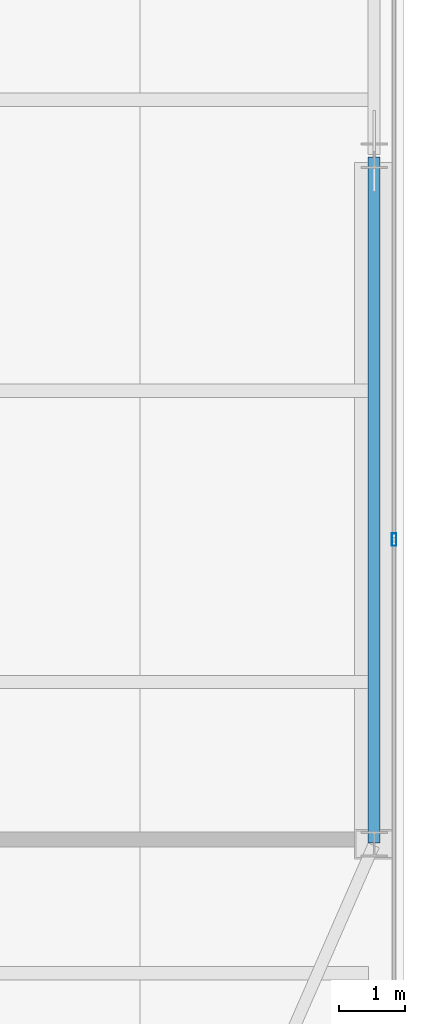
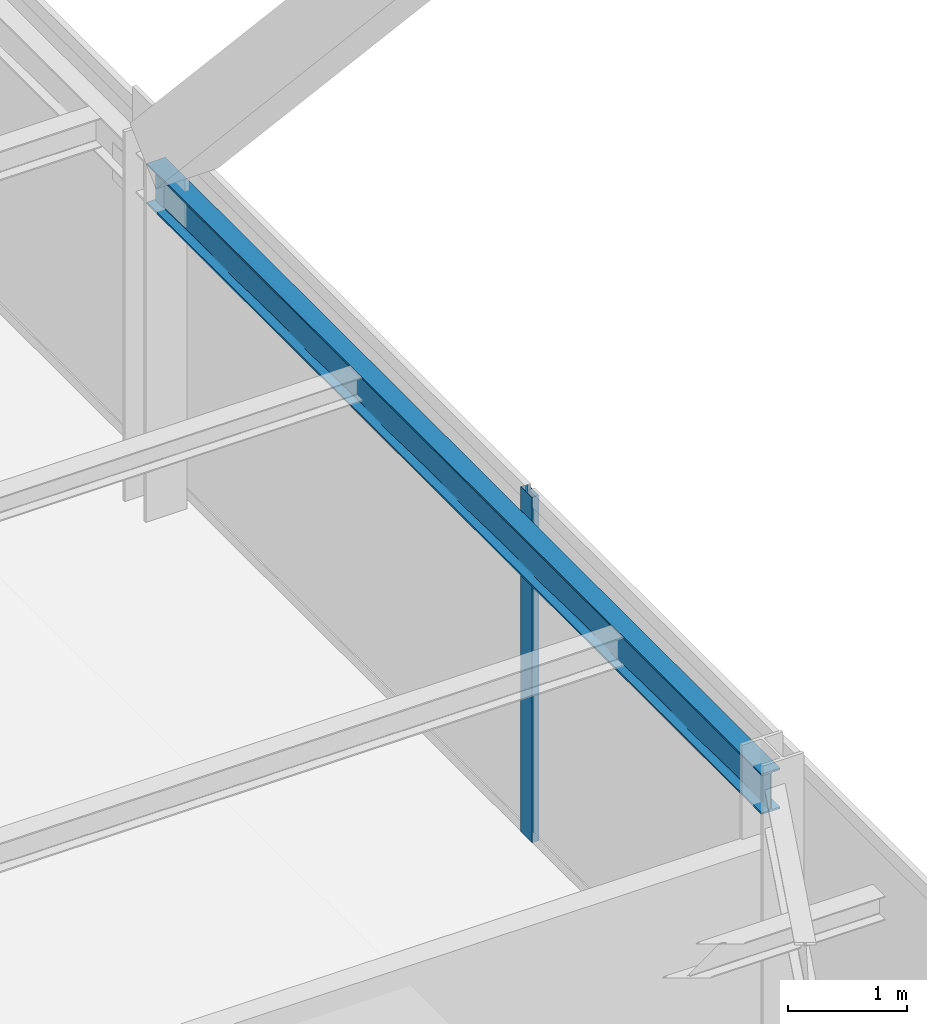
# One storey, part 18 of 37: 1 beam, 1 member, 1 element without a shape of its own.
"""IFC4 building model written with IfcOpenShell, lengths in metres."""

from ifc_helpers import new_model, si_unit, direction, frame, origin, origin_2d, place, context, subcontext, project, spatial, hollow_rectangle, i_section, extrude, source, transform, mapped, material, layer, layer_set, material_profile, profile_set, type_object, type_shapes, element, aggregate, save


model = new_model("IFC4")

# Units and contexts
model_context = context("Model", 3, precision=1e-05, world=origin(), true_north=direction((0.0, 1.0)))
body_context = subcontext(model_context, "Body", "Model", "MODEL_VIEW")
ifc_project = project(units=[si_unit("LENGTHUNIT", "METRE"), si_unit("AREAUNIT", "SQUARE_METRE"), si_unit("VOLUMEUNIT", "CUBIC_METRE"), si_unit("PLANEANGLEUNIT", "RADIAN"), si_unit("MASSUNIT", "GRAM", prefix="KILO")], contexts=[model_context])

# Site, building, storey
site_placement = place(None, origin())
site = spatial("IfcSite", under=ifc_project, at=site_placement, CompositionType="ELEMENT")
building_placement = place(site_placement, origin())
building = spatial("IfcBuilding", under=site, at=building_placement, Name="Varnel Quay Broadcast Tower", CompositionType="ELEMENT")
storey_placement = place(building_placement, frame((0.0, 0.0, 125.800048828125)))
storey = spatial("IfcBuildingStorey", under=building, at=storey_placement, Name="L30", CompositionType="ELEMENT", Elevation=125.800048828125)

# Beam
ifc_material_1 = material(Name="Structural Steel CSA G40.21 350W", Category="steel")
ifc_material_profile_1 = material_profile(ifc_material_1, i_section(OverallWidth=0.180908203125, OverallDepth=0.4169921875, WebThickness=0.010986328125, FlangeThickness=0.018310546875, FilletRadius=0.011962890625, at=origin_2d()), Name="W410X85")
ifc_profile_set_1 = profile_set([ifc_material_profile_1], Name="Structural Steel CSA G40.21 350W")
beam_type = type_object("IfcBeamType", Name="Beam_W410X85", PredefinedType="SPANDREL", material=ifc_profile_set_1)
shared_shape_1 = source(origin(), body_context, "Body", "SweptSolid", [
    extrude(i_section(OverallWidth=0.180908203125, OverallDepth=0.4169921875, WebThickness=0.010986328125, FlangeThickness=0.018310546875, FilletRadius=0.011962890625, at=origin_2d()), origin(), (0.0, 0.0, 1.0), 10.35986328125),
])
type_shapes(beam_type, [shared_shape_1])
beam_placement = place(storey_placement, frame((63.050048828125, 15.02001953125, 3.341552734375), z_axis=(0.0, 1.0, 0.0), x_axis=(-1.0, 0.0, 0.0)))
element("IfcBeam", 1, at=beam_placement, inside=storey, type_object=beam_type, Name="L30 East Spandrel TC-E1-TC-E2", PredefinedType="SPANDREL", context=body_context, shape_type="MappedRepresentation", body=[
    mapped(shared_shape_1, transform((0.0, 0.0, 0.0), x_axis=(1.0, 0.0, 0.0), y_axis=(0.0, 1.0, 0.0), z_axis=(0.0, 0.0, 1.0), scale=1.0)),
])

# Curtain wall, member
ifc_material_2 = material(Name="Anodised Bronze Aluminium 6063-T6", Category="aluminium")
ifc_layer = layer(ifc_material_2, 0.18994140625, Name="Anodised Bronze Aluminium 6063-T6")
ifc_layer_set = layer_set([ifc_layer], Name="Anodised Bronze Aluminium 6063-T6")
curtain_wall_type = type_object("IfcCurtainWallType", Name="CW_LowerTower", PredefinedType="NOTDEFINED", material=ifc_layer_set)
curtain_wall_placement = place(storey_placement, origin())
curtain_wall = element("IfcCurtainWall", 2, at=curtain_wall_placement, inside=storey, type_object=curtain_wall_type, Name="L30 East Unitised Curtain Wall", PredefinedType="NOTDEFINED")
ifc_material_profile_2 = material_profile(ifc_material_2, hollow_rectangle(XDim=0.070068359375, YDim=0.18994140625, WallThickness=0.00390625, at=origin_2d()), Name="ALU70X190X4")
ifc_profile_set_2 = profile_set([ifc_material_profile_2], Name="Anodised Bronze Aluminium 6063-T6")
member_type = type_object("IfcMemberType", Name="Mull_CWS-02", PredefinedType="MULLION", material=ifc_profile_set_2)
shared_shape_2 = source(origin(), body_context, "Body", "SweptSolid", [
    extrude(hollow_rectangle(XDim=0.070068359375, YDim=0.18994140625, WallThickness=0.00390625, at=origin_2d()), origin(), (0.0, 0.0, 1.0), 3.550048828125),
])
type_shapes(member_type, [shared_shape_2])
member_placement = place(storey_placement, frame((63.35009765625, 19.60009765625, 0.0), z_axis=(0.0, 0.0, 1.0), x_axis=(-1.0, 0.0, 0.0)))
member = element("IfcMember", 3, at=member_placement, type_object=member_type, Name="CWS-02 mullion 2", PredefinedType="MULLION", context=body_context, shape_type="MappedRepresentation", body=[
    mapped(shared_shape_2, transform((0.0, 0.0, 0.0), x_axis=(1.0, 0.0, 0.0), y_axis=(0.0, 1.0, 0.0), z_axis=(0.0, 0.0, 1.0), scale=1.0)),
])
aggregate(curtain_wall, [member])

save(model, "model.ifc")
